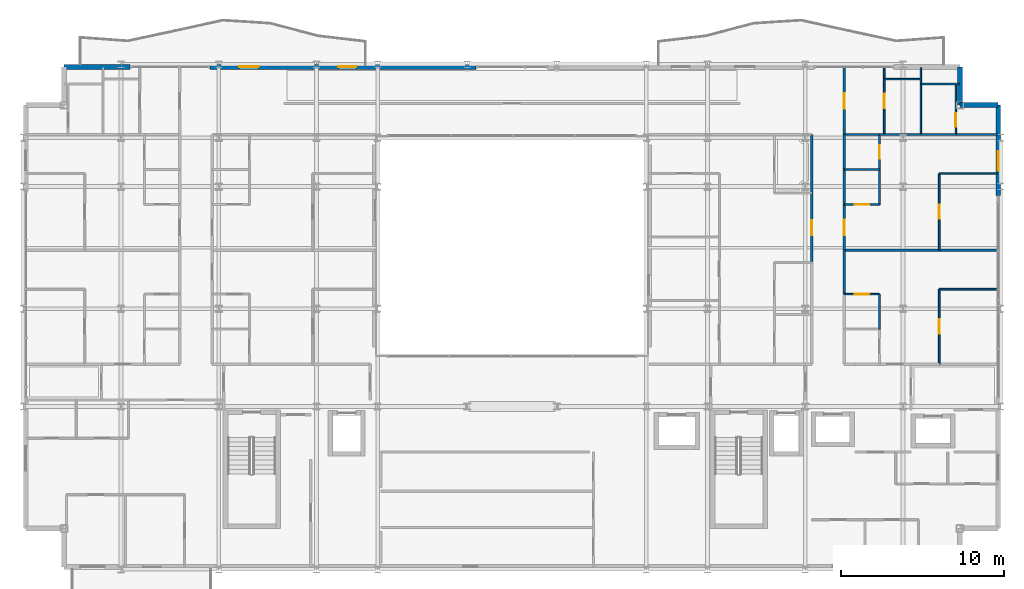
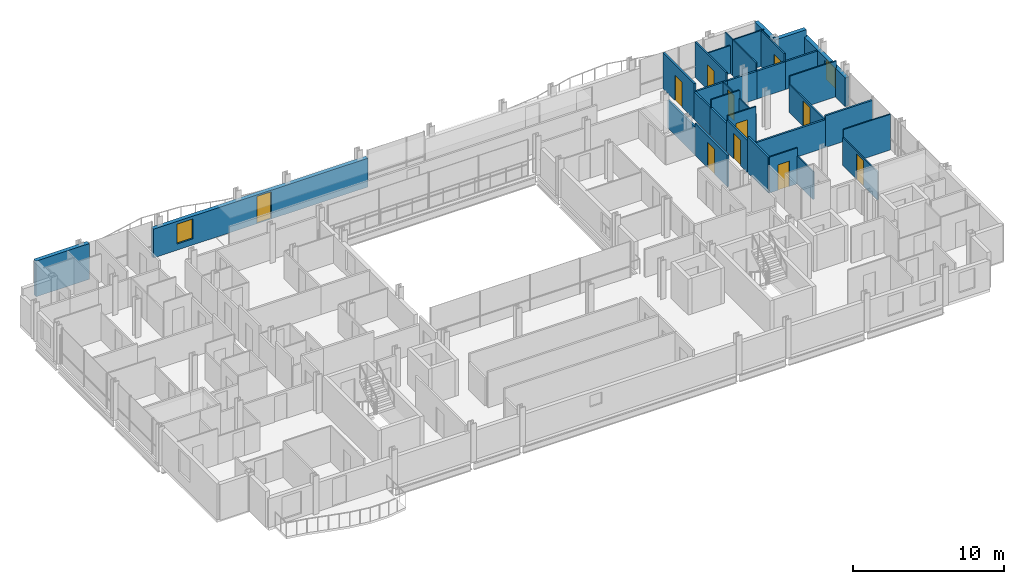
# One storey, part 36 of 41: 35 walls, 11 doors, 2 windows, 13 openings.
"""IFC4 building model written with IfcOpenShell, lengths in metres."""

from ifc_helpers import new_model, si_unit, direction, frame, frame_2d, origin, place, context, subcontext, project, spatial, rectangle, extrude, material, layer, layer_set, type_object, element, fill, save


model = new_model("IFC4")

# Units and contexts
model_context = context("Model", 3, precision=1e-05, world=origin(), true_north=direction((0.0, 1.0)))
body_context = subcontext(model_context, "Body", "Model", "MODEL_VIEW")
ifc_project = project(units=[si_unit("LENGTHUNIT", "METRE"), si_unit("AREAUNIT", "SQUARE_METRE"), si_unit("VOLUMEUNIT", "CUBIC_METRE"), si_unit("PLANEANGLEUNIT", "RADIAN"), si_unit("MASSUNIT", "GRAM", prefix="KILO")], contexts=[model_context])

# Site, building, storey
site_placement = place(None, origin())
site = spatial("IfcSite", under=ifc_project, at=site_placement, CompositionType="ELEMENT")
building_placement = place(site_placement, origin())
building = spatial("IfcBuilding", under=site, at=building_placement, Name="Brevholm Reach", CompositionType="ELEMENT")
storey_placement = place(building_placement, frame((0.0, 0.0, 112.800048828125)))
storey = spatial("IfcBuildingStorey", under=building, at=storey_placement, Name="L33", CompositionType="ELEMENT", Elevation=112.800048828125)

# Walls
ifc_material_1 = material(Name="Concrete C40/50", Category="concrete")
ifc_layer_1 = layer(ifc_material_1, 0.300048828125)
ifc_layer_set_1 = layer_set([ifc_layer_1], Name="Concrete C40/50")
wall_type_1 = type_object("IfcWallType", Name="WAL-EXT-300", PredefinedType="STANDARD", material=ifc_layer_set_1)
for number, where, z_axis, x_axis, name in (
    (1, (59.85009765625, 28.5, 0.0), (0.0, 0.0, 1.0), (-1.0, 0.0, 0.0), "L33 Facade Wall WAL-L33-CNE1"),
    (2, (57.5, 28.5, 0.0), (0.0, 0.0, 1.0), (0.0, 1.0, 0.0), "L33 Facade Wall WAL-L33-CNE2"),
):
    element("IfcWall", number, at=place(storey_placement, frame(where, z_axis=z_axis, x_axis=x_axis)), inside=storey, type_object=wall_type_1, Name=name, PredefinedType="STANDARD", context=body_context, shape_type="SweptSolid", body=[
        extrude(rectangle(XDim=2.35009765625, YDim=0.300048828125, at=frame_2d((1.175048828125, 0.0))), origin(), (0.0, 0.0, 1.0), 2.8798828125),
    ])

# Wall, opening, window
wall_1_placement = place(storey_placement, frame((59.85009765625, 22.949951171875, 0.0), z_axis=(0.0, 0.0, 1.0), x_axis=(0.0, 1.0, 0.0)))
wall_1 = element("IfcWall", 3, at=wall_1_placement, inside=storey, type_object=wall_type_1, Name="L33 Facade Wall WAL-L33-E-N", PredefinedType="STANDARD", context=body_context, shape_type="SweptSolid", body=[
    extrude(rectangle(XDim=5.550048828125, YDim=0.300048828125, at=frame_2d((2.77490234375, 0.0))), origin(), (0.0, 0.0, 1.0), 2.32177734375),
])
opening_1_placement = place(wall_1_placement, frame((1.530029296875, 0.0, 0.501953125)))
opening_1 = element("IfcOpeningElement", 4, at=opening_1_placement, cuts=wall_1, Name="Opening WN-08", PredefinedType="OPENING", context=body_context, shape_type="SweptSolid", body=[
    extrude(rectangle(XDim=1.199951171875, YDim=1.60009765625, at=frame_2d((0.60009765625, 0.800048828125))), frame((0.0, 0.159912109375, 0.0), z_axis=(0.0, -1.0, 0.0), x_axis=(1.0, 0.0, 0.0)), (0.0, 0.0, 1.0), 0.320068359375),
])
ifc_material_2 = material(Name="Dark Anodised Aluminium and Solar-Control IGU Glass", Category="aluminium")
window_type = type_object("IfcWindowType", Name="WIN-RES-1200", PartitioningType="SINGLE_PANEL", PredefinedType="WINDOW", material=ifc_material_2)
window_1_placement = place(opening_1_placement, origin())
window_1 = element("IfcWindow", 5, at=window_1_placement, inside=storey, type_object=window_type, Name="L33 Window WIN-L33-EN-1", OverallHeight=1.60009765625, OverallWidth=1.199951171875, PartitioningType="SINGLE_PANEL", PredefinedType="WINDOW", context=body_context, shape_type="SweptSolid", body=[
    extrude(rectangle(XDim=1.199951171875, YDim=1.60009765625, at=frame_2d((0.60009765625, 0.800048828125))), frame((0.0, 0.030029296875, 0.0), z_axis=(0.0, -1.0, 0.0), x_axis=(1.0, 0.0, 0.0)), (0.0, 0.0, 1.0), 0.06005859375),
])
fill(opening_1, window_1)

# Wall
wall_2_placement = place(storey_placement, frame((2.5, 30.85009765625, 0.0), z_axis=(0.0, 0.0, 1.0), x_axis=(1.0, 0.0, 0.0)))
element("IfcWall", 6, at=wall_2_placement, inside=storey, type_object=wall_type_1, Name="L33 Facade Wall WAL-L33-NP-W0", PredefinedType="STANDARD", context=body_context, shape_type="SweptSolid", body=[
    extrude(rectangle(XDim=4.050048828125, YDim=0.300048828125, at=frame_2d((2.02490234375, 0.0))), origin(), (0.0, 0.0, 1.0), 2.8798828125),
])

# Wall, openings, door, window
wall_3_placement = place(storey_placement, frame((11.449951171875, 30.85009765625, 0.0), z_axis=(0.0, 0.0, 1.0), x_axis=(1.0, 0.0, 0.0)))
wall_3 = element("IfcWall", 7, at=wall_3_placement, inside=storey, type_object=wall_type_1, Name="L33 Facade Wall WAL-L33-NP-WL", PredefinedType="STANDARD", context=body_context, shape_type="SweptSolid", body=[
    extrude(rectangle(XDim=16.35009765625, YDim=0.300048828125, at=frame_2d((8.175048828125, 0.0))), origin(), (0.0, 0.0, 1.0), 2.32177734375),
])
opening_2_placement = place(wall_3_placement, frame((7.89794921875, 0.0, 0.0)))
opening_2 = element("IfcOpeningElement", 8, at=opening_2_placement, cuts=wall_3, Name="Opening BD-01", PredefinedType="OPENING", context=body_context, shape_type="SweptSolid", body=[
    extrude(rectangle(XDim=1.10009765625, YDim=2.199951171875, at=frame_2d((0.550048828125, 1.10009765625))), frame((0.0, 0.159912109375, 0.0), z_axis=(0.0, -1.0, 0.0), x_axis=(1.0, 0.0, 0.0)), (0.0, 0.0, 1.0), 0.320068359375),
])
opening_3_placement = place(wall_3_placement, frame((1.800048828125, 0.0, 0.501953125)))
opening_3 = element("IfcOpeningElement", 9, at=opening_3_placement, cuts=wall_3, Name="Opening WN-08", PredefinedType="OPENING", context=body_context, shape_type="SweptSolid", body=[
    extrude(rectangle(XDim=1.199951171875, YDim=1.60009765625, at=frame_2d((0.60009765625, 0.800048828125))), frame((0.0, 0.159912109375, 0.0), z_axis=(0.0, -1.0, 0.0), x_axis=(1.0, 0.0, 0.0)), (0.0, 0.0, 1.0), 0.320068359375),
])
ifc_material_3 = material(Name="Dark Anodised Aluminium and Triple-Glazed Glass", Category="aluminium")
door_type_1 = type_object("IfcDoorType", Name="DOR-BALC-1100", OperationType="NOTDEFINED", PredefinedType="DOOR", material=ifc_material_3)
door_1_placement = place(opening_2_placement, origin())
door_1 = element("IfcDoor", 10, at=door_1_placement, inside=storey, type_object=door_type_1, Name="L33 Exterior Door DOR-L33-BL-NW", OperationType="SINGLE_SWING_RIGHT", OverallHeight=2.199951171875, OverallWidth=1.10009765625, PredefinedType="DOOR", context=body_context, shape_type="SweptSolid", body=[
    extrude(rectangle(XDim=1.10009765625, YDim=2.199951171875, at=frame_2d((0.550048828125, 1.10009765625))), frame((0.0, 0.02490234375, 0.0), z_axis=(0.0, -1.0, 0.0), x_axis=(1.0, 0.0, 0.0)), (0.0, 0.0, 1.0), 0.050048828125),
])
fill(opening_2, door_1)
window_2_placement = place(opening_3_placement, origin())
window_2 = element("IfcWindow", 11, at=window_2_placement, inside=storey, type_object=window_type, Name="L33 Window WIN-L33-NP-WL1", OverallHeight=1.60009765625, OverallWidth=1.199951171875, PartitioningType="SINGLE_PANEL", PredefinedType="WINDOW", context=body_context, shape_type="SweptSolid", body=[
    extrude(rectangle(XDim=1.199951171875, YDim=1.60009765625, at=frame_2d((0.60009765625, 0.800048828125))), frame((0.0, 0.030029296875, 0.0), z_axis=(0.0, -1.0, 0.0), x_axis=(1.0, 0.0, 0.0)), (0.0, 0.0, 1.0), 0.06005859375),
])
fill(opening_3, window_2)

# Wall
ifc_material_4 = material(Name="Moisture-Resistant Acoustic Gypsum Stud Partition 100 mm", Category="gypsum")
ifc_layer_2 = layer(ifc_material_4, 0.10009765625)
ifc_layer_set_2 = layer_set([ifc_layer_2], Name="Moisture-Resistant Acoustic Gypsum Stud Partition 100 mm")
wall_type_2 = type_object("IfcWallType", Name="WAL-PRT-100", PredefinedType="PARTITIONING", material=ifc_layer_set_2)
wall_4_placement = place(storey_placement, frame((52.56201171875, 14.75390625, 0.0), z_axis=(0.0, 0.0, 1.0), x_axis=(0.0, 1.0, 0.0)))
element("IfcWall", 12, at=wall_4_placement, inside=storey, type_object=wall_type_2, Name="L33 Internal Partition 134", PredefinedType="PARTITIONING", context=body_context, shape_type="SweptSolid", body=[
    extrude(rectangle(XDim=2.14599609375, YDim=0.10009765625, at=frame_2d((1.072998046875, 0.0))), origin(), (0.0, 0.0, 1.0), 2.24267578125),
])

# Wall, opening, door
wall_5_placement = place(storey_placement, frame((50.404052734375, 16.89990234375, 0.0), z_axis=(0.0, 0.0, 1.0), x_axis=(1.0, 0.0, 0.0)))
wall_5 = element("IfcWall", 13, at=wall_5_placement, inside=storey, type_object=wall_type_2, Name="L33 Internal Partition 135", PredefinedType="PARTITIONING", context=body_context, shape_type="SweptSolid", body=[
    extrude(rectangle(XDim=2.157958984375, YDim=0.10009765625, at=frame_2d((1.0791015625, 0.0))), origin(), (0.0, 0.0, 1.0), 2.8798828125),
])
opening_4_placement = place(wall_5_placement, frame((0.638916015625, 0.0, 0.0)))
opening_4 = element("IfcOpeningElement", 14, at=opening_4_placement, cuts=wall_5, Name="Opening ID-01", PredefinedType="OPENING", context=body_context, shape_type="SweptSolid", body=[
    extrude(rectangle(XDim=0.8798828125, YDim=2.0400390625, at=frame_2d((0.43994140625, 1.02001953125))), frame((0.0, 0.06005859375, 0.0), z_axis=(0.0, -1.0, 0.0), x_axis=(1.0, 0.0, 0.0)), (0.0, 0.0, 1.0), 0.1201171875),
])
ifc_material_5 = material(Name="Lacquered Ash Solid-Core Acoustic Internal Door", Category="timber")
door_type_2 = type_object("IfcDoorType", Name="DOR-INT-880", OperationType="NOTDEFINED", PredefinedType="DOOR", material=ifc_material_5)
door_2_placement = place(opening_4_placement, origin())
door_2 = element("IfcDoor", 15, at=door_2_placement, inside=storey, type_object=door_type_2, Name="L33 Internal Door 051", OperationType="SINGLE_SWING_LEFT", OverallHeight=2.0400390625, OverallWidth=0.8798828125, PredefinedType="DOOR", context=body_context, shape_type="SweptSolid", body=[
    extrude(rectangle(XDim=0.8798828125, YDim=2.0400390625, at=frame_2d((0.43994140625, 1.02001953125))), frame((0.0, 0.02490234375, 0.0), z_axis=(0.0, -1.0, 0.0), x_axis=(1.0, 0.0, 0.0)), (0.0, 0.0, 1.0), 0.050048828125),
])
fill(opening_4, door_2)

# Wall
wall_6_placement = place(storey_placement, frame((56.22802734375, 17.199951171875, 0.0), z_axis=(0.0, 0.0, 1.0), x_axis=(1.0, 0.0, 0.0)))
element("IfcWall", 16, at=wall_6_placement, inside=storey, type_object=wall_type_2, Name="L33 Internal Partition 136", PredefinedType="PARTITIONING", context=body_context, shape_type="SweptSolid", body=[
    extrude(rectangle(XDim=3.572021484375, YDim=0.10009765625, at=frame_2d((1.7861328125, 0.0))), origin(), (0.0, 0.0, 1.0), 2.8798828125),
])

# Wall, opening, door
wall_7_placement = place(storey_placement, frame((56.22802734375, 12.60400390625, 0.0), z_axis=(0.0, 0.0, 1.0), x_axis=(0.0, 1.0, 0.0)))
wall_7 = element("IfcWall", 17, at=wall_7_placement, inside=storey, type_object=wall_type_2, Name="L33 Internal Partition 137", PredefinedType="PARTITIONING", context=body_context, shape_type="SweptSolid", body=[
    extrude(rectangle(XDim=4.595947265625, YDim=0.10009765625, at=frame_2d((2.2978515625, 0.0))), origin(), (0.0, 0.0, 1.0), 2.24267578125),
])
opening_5_placement = place(wall_7_placement, frame((1.85791015625, 0.0, 0.0)))
opening_5 = element("IfcOpeningElement", 18, at=opening_5_placement, cuts=wall_7, Name="Opening ID-01", PredefinedType="OPENING", context=body_context, shape_type="SweptSolid", body=[
    extrude(rectangle(XDim=0.8798828125, YDim=2.0400390625, at=frame_2d((0.43994140625, 1.02001953125))), frame((0.0, 0.06005859375, 0.0), z_axis=(0.0, -1.0, 0.0), x_axis=(1.0, 0.0, 0.0)), (0.0, 0.0, 1.0), 0.1201171875),
])
door_3_placement = place(opening_5_placement, origin())
door_3 = element("IfcDoor", 19, at=door_3_placement, inside=storey, type_object=door_type_2, Name="L33 Internal Door 052", OperationType="SINGLE_SWING_RIGHT", OverallHeight=2.0400390625, OverallWidth=0.8798828125, PredefinedType="DOOR", context=body_context, shape_type="SweptSolid", body=[
    extrude(rectangle(XDim=0.8798828125, YDim=2.0400390625, at=frame_2d((0.43994140625, 1.02001953125))), frame((0.0, 0.02490234375, 0.0), z_axis=(0.0, -1.0, 0.0), x_axis=(1.0, 0.0, 0.0)), (0.0, 0.0, 1.0), 0.050048828125),
])
fill(opening_5, door_3)

# Wall
wall_8_placement = place(storey_placement, frame((50.404052734375, 24.550048828125, 0.0), z_axis=(0.0, 0.0, 1.0), x_axis=(1.0, 0.0, 0.0)))
element("IfcWall", 20, at=wall_8_placement, inside=storey, type_object=wall_type_2, Name="L33 Internal Partition 140", PredefinedType="PARTITIONING", context=body_context, shape_type="SweptSolid", body=[
    extrude(rectangle(XDim=2.157958984375, YDim=0.10009765625, at=frame_2d((1.0791015625, 0.0))), origin(), (0.0, 0.0, 1.0), 2.8798828125),
])

# Wall, opening, door
wall_9_placement = place(storey_placement, frame((52.56201171875, 24.550048828125, 0.0), z_axis=(0.0, 0.0, 1.0), x_axis=(0.0, 1.0, 0.0)))
wall_9 = element("IfcWall", 21, at=wall_9_placement, inside=storey, type_object=wall_type_2, Name="L33 Internal Partition 141", PredefinedType="PARTITIONING", context=body_context, shape_type="SweptSolid", body=[
    extrude(rectangle(XDim=2.14990234375, YDim=0.10009765625, at=frame_2d((1.074951171875, 0.0))), origin(), (0.0, 0.0, 1.0), 2.24267578125),
])
opening_6_placement = place(wall_9_placement, frame((0.6650390625, 0.0, 0.0)))
opening_6 = element("IfcOpeningElement", 22, at=opening_6_placement, cuts=wall_9, Name="Opening ID-03", PredefinedType="OPENING", context=body_context, shape_type="SweptSolid", body=[
    extrude(rectangle(XDim=0.820068359375, YDim=2.02001953125, at=frame_2d((0.41015625, 1.010009765625))), frame((0.0, 0.06005859375, 0.0), z_axis=(0.0, -1.0, 0.0), x_axis=(1.0, 0.0, 0.0)), (0.0, 0.0, 1.0), 0.1201171875),
])
ifc_material_6 = material(Name="Moisture-Resistant Painted Timber Internal Bathroom Door", Category="wood")
door_type_3 = type_object("IfcDoorType", Name="DOR-BATH-820", OperationType="NOTDEFINED", PredefinedType="DOOR", material=ifc_material_6)
door_4_placement = place(opening_6_placement, origin())
door_4 = element("IfcDoor", 23, at=door_4_placement, inside=storey, type_object=door_type_3, Name="L33 Internal Door 053", OperationType="SINGLE_SWING_LEFT", OverallHeight=2.02001953125, OverallWidth=0.820068359375, PredefinedType="DOOR", context=body_context, shape_type="SweptSolid", body=[
    extrude(rectangle(XDim=0.820068359375, YDim=2.02001953125, at=frame_2d((0.41015625, 1.010009765625))), frame((0.0, 0.02490234375, 0.0), z_axis=(0.0, -1.0, 0.0), x_axis=(1.0, 0.0, 0.0)), (0.0, 0.0, 1.0), 0.050048828125),
])
fill(opening_6, door_4)

wall_10_placement = place(storey_placement, frame((50.404052734375, 22.39990234375, 0.0), z_axis=(0.0, 0.0, 1.0), x_axis=(1.0, 0.0, 0.0)))
wall_10 = element("IfcWall", 24, at=wall_10_placement, inside=storey, type_object=wall_type_2, Name="L33 Internal Partition 143", PredefinedType="PARTITIONING", context=body_context, shape_type="SweptSolid", body=[
    extrude(rectangle(XDim=2.157958984375, YDim=0.10009765625, at=frame_2d((1.0791015625, 0.0))), origin(), (0.0, 0.0, 1.0), 2.8798828125),
])
opening_7_placement = place(wall_10_placement, frame((0.638916015625, 0.0, 0.0)))
opening_7 = element("IfcOpeningElement", 25, at=opening_7_placement, cuts=wall_10, Name="Opening ID-01", PredefinedType="OPENING", context=body_context, shape_type="SweptSolid", body=[
    extrude(rectangle(XDim=0.8798828125, YDim=2.0400390625, at=frame_2d((0.43994140625, 1.02001953125))), frame((0.0, 0.06005859375, 0.0), z_axis=(0.0, -1.0, 0.0), x_axis=(1.0, 0.0, 0.0)), (0.0, 0.0, 1.0), 0.1201171875),
])
door_5_placement = place(opening_7_placement, origin())
door_5 = element("IfcDoor", 26, at=door_5_placement, inside=storey, type_object=door_type_2, Name="L33 Internal Door 054", OperationType="SINGLE_SWING_RIGHT", OverallHeight=2.0400390625, OverallWidth=0.8798828125, PredefinedType="DOOR", context=body_context, shape_type="SweptSolid", body=[
    extrude(rectangle(XDim=0.8798828125, YDim=2.0400390625, at=frame_2d((0.43994140625, 1.02001953125))), frame((0.0, 0.02490234375, 0.0), z_axis=(0.0, -1.0, 0.0), x_axis=(1.0, 0.0, 0.0)), (0.0, 0.0, 1.0), 0.050048828125),
])
fill(opening_7, door_5)

# Walls
wall_11_placement = place(storey_placement, frame((52.56201171875, 22.39990234375, 0.0), z_axis=(0.0, 0.0, 1.0), x_axis=(0.0, 1.0, 0.0)))
element("IfcWall", 27, at=wall_11_placement, inside=storey, type_object=wall_type_2, Name="L33 Internal Partition 144", PredefinedType="PARTITIONING", context=body_context, shape_type="SweptSolid", body=[
    extrude(rectangle(XDim=2.14599609375, YDim=0.10009765625, at=frame_2d((1.072998046875, 0.0))), origin(), (0.0, 0.0, 1.0), 2.24267578125),
])
wall_12_placement = place(storey_placement, frame((56.22802734375, 24.300048828125, 0.0), z_axis=(0.0, 0.0, 1.0), x_axis=(1.0, 0.0, 0.0)))
element("IfcWall", 28, at=wall_12_placement, inside=storey, type_object=wall_type_2, Name="L33 Internal Partition 145", PredefinedType="PARTITIONING", context=body_context, shape_type="SweptSolid", body=[
    extrude(rectangle(XDim=3.572021484375, YDim=0.10009765625, at=frame_2d((1.7861328125, 0.0))), origin(), (0.0, 0.0, 1.0), 2.8798828125),
])

# Wall, opening, door
wall_13_placement = place(storey_placement, frame((56.22802734375, 19.60400390625, 0.0), z_axis=(0.0, 0.0, 1.0), x_axis=(0.0, 1.0, 0.0)))
wall_13 = element("IfcWall", 29, at=wall_13_placement, inside=storey, type_object=wall_type_2, Name="L33 Internal Partition 146", PredefinedType="PARTITIONING", context=body_context, shape_type="SweptSolid", body=[
    extrude(rectangle(XDim=4.696044921875, YDim=0.10009765625, at=frame_2d((2.34814453125, 0.0))), origin(), (0.0, 0.0, 1.0), 2.24267578125),
])
opening_8_placement = place(wall_13_placement, frame((1.907958984375, 0.0, 0.0)))
opening_8 = element("IfcOpeningElement", 30, at=opening_8_placement, cuts=wall_13, Name="Opening ID-01", PredefinedType="OPENING", context=body_context, shape_type="SweptSolid", body=[
    extrude(rectangle(XDim=0.8798828125, YDim=2.0400390625, at=frame_2d((0.43994140625, 1.02001953125))), frame((0.0, 0.06005859375, 0.0), z_axis=(0.0, -1.0, 0.0), x_axis=(1.0, 0.0, 0.0)), (0.0, 0.0, 1.0), 0.1201171875),
])
door_6_placement = place(opening_8_placement, origin())
door_6 = element("IfcDoor", 31, at=door_6_placement, inside=storey, type_object=door_type_2, Name="L33 Internal Door 055", OperationType="SINGLE_SWING_LEFT", OverallHeight=2.0400390625, OverallWidth=0.8798828125, PredefinedType="DOOR", context=body_context, shape_type="SweptSolid", body=[
    extrude(rectangle(XDim=0.8798828125, YDim=2.0400390625, at=frame_2d((0.43994140625, 1.02001953125))), frame((0.0, 0.02490234375, 0.0), z_axis=(0.0, -1.0, 0.0), x_axis=(1.0, 0.0, 0.0)), (0.0, 0.0, 1.0), 0.050048828125),
])
fill(opening_8, door_6)

# Wall
wall_14_placement = place(storey_placement, frame((55.10009765625, 26.7041015625, 0.0), z_axis=(0.0, 0.0, 1.0), x_axis=(0.0, 1.0, 0.0)))
element("IfcWall", 32, at=wall_14_placement, inside=storey, type_object=wall_type_2, Name="L33 Internal Partition 157", PredefinedType="PARTITIONING", context=body_context, shape_type="SweptSolid", body=[
    extrude(rectangle(XDim=3.095947265625, YDim=0.10009765625, at=frame_2d((1.5478515625, 0.0))), origin(), (0.0, 0.0, 1.0), 2.8798828125),
])

# Wall, opening, door
wall_15_placement = place(storey_placement, frame((57.25, 26.7041015625, 0.0), z_axis=(0.0, 0.0, 1.0), x_axis=(0.0, 1.0, 0.0)))
wall_15 = element("IfcWall", 33, at=wall_15_placement, inside=storey, type_object=wall_type_2, Name="L33 Internal Partition 158", PredefinedType="PARTITIONING", context=body_context, shape_type="SweptSolid", body=[
    extrude(rectangle(XDim=3.095947265625, YDim=0.10009765625, at=frame_2d((1.5478515625, 0.0))), origin(), (0.0, 0.0, 1.0), 2.8798828125),
])
opening_9_placement = place(wall_15_placement, frame((0.47802734375, 0.0, 0.0)))
opening_9 = element("IfcOpeningElement", 34, at=opening_9_placement, cuts=wall_15, Name="Opening ID-03", PredefinedType="OPENING", context=body_context, shape_type="SweptSolid", body=[
    extrude(rectangle(XDim=0.820068359375, YDim=2.02001953125, at=frame_2d((0.41015625, 1.010009765625))), frame((0.0, 0.06005859375, 0.0), z_axis=(0.0, -1.0, 0.0), x_axis=(1.0, 0.0, 0.0)), (0.0, 0.0, 1.0), 0.1201171875),
])
door_7_placement = place(opening_9_placement, origin())
door_7 = element("IfcDoor", 35, at=door_7_placement, inside=storey, type_object=door_type_3, Name="L33 Internal Door 058", OperationType="SINGLE_SWING_RIGHT", OverallHeight=2.02001953125, OverallWidth=0.820068359375, PredefinedType="DOOR", context=body_context, shape_type="SweptSolid", body=[
    extrude(rectangle(XDim=0.820068359375, YDim=2.02001953125, at=frame_2d((0.41015625, 1.010009765625))), frame((0.0, 0.02490234375, 0.0), z_axis=(0.0, -1.0, 0.0), x_axis=(1.0, 0.0, 0.0)), (0.0, 0.0, 1.0), 0.050048828125),
])
fill(opening_9, door_7)

# Walls
wall_16_placement = place(storey_placement, frame((55.10009765625, 29.800048828125, 0.0), z_axis=(0.0, 0.0, 1.0), x_axis=(1.0, 0.0, 0.0)))
element("IfcWall", 36, at=wall_16_placement, inside=storey, type_object=wall_type_2, Name="L33 Internal Partition 159", PredefinedType="PARTITIONING", context=body_context, shape_type="SweptSolid", body=[
    extrude(rectangle(XDim=2.349853515625, YDim=0.10009765625, at=frame_2d((1.1748046875, 0.0))), origin(), (0.0, 0.0, 1.0), 2.8798828125),
])
wall_17_placement = place(storey_placement, frame((55.10009765625, 29.803955078125, 0.0), z_axis=(0.0, 0.0, 1.0), x_axis=(0.0, 1.0, 0.0)))
element("IfcWall", 37, at=wall_17_placement, inside=storey, type_object=wall_type_2, Name="L33 Internal Partition 160", PredefinedType="PARTITIONING", context=body_context, shape_type="SweptSolid", body=[
    extrude(rectangle(XDim=0.99609375, YDim=0.10009765625, at=frame_2d((0.498046875, 0.0))), origin(), (0.0, 0.0, 1.0), 2.8798828125),
])
wall_18_placement = place(storey_placement, frame((52.85009765625, 30.10009765625, 0.0), z_axis=(0.0, 0.0, 1.0), x_axis=(1.0, 0.0, 0.0)))
element("IfcWall", 38, at=wall_18_placement, inside=storey, type_object=wall_type_2, Name="L33 Internal Partition 161", PredefinedType="PARTITIONING", context=body_context, shape_type="SweptSolid", body=[
    extrude(rectangle(XDim=2.25, YDim=0.10009765625, at=frame_2d((1.125, 0.0))), origin(), (0.0, 0.0, 1.0), 2.24267578125),
])

# Wall, opening, door
wall_19_placement = place(storey_placement, frame((52.85009765625, 26.7041015625, 0.0), z_axis=(0.0, 0.0, 1.0), x_axis=(0.0, 1.0, 0.0)))
wall_19 = element("IfcWall", 39, at=wall_19_placement, inside=storey, type_object=wall_type_2, Name="L33 Internal Partition 162", PredefinedType="PARTITIONING", context=body_context, shape_type="SweptSolid", body=[
    extrude(rectangle(XDim=4.095947265625, YDim=0.10009765625, at=frame_2d((2.0478515625, 0.0))), origin(), (0.0, 0.0, 1.0), 2.8798828125),
])
opening_10_placement = place(wall_19_placement, frame((1.60791015625, 0.0, 0.0)))
opening_10 = element("IfcOpeningElement", 40, at=opening_10_placement, cuts=wall_19, Name="Opening ID-01", PredefinedType="OPENING", context=body_context, shape_type="SweptSolid", body=[
    extrude(rectangle(XDim=0.8798828125, YDim=2.0400390625, at=frame_2d((0.43994140625, 1.02001953125))), frame((0.0, 0.06005859375, 0.0), z_axis=(0.0, -1.0, 0.0), x_axis=(1.0, 0.0, 0.0)), (0.0, 0.0, 1.0), 0.1201171875),
])
door_8_placement = place(opening_10_placement, origin())
door_8 = element("IfcDoor", 41, at=door_8_placement, inside=storey, type_object=door_type_2, Name="L33 Internal Door 059", OperationType="SINGLE_SWING_LEFT", OverallHeight=2.0400390625, OverallWidth=0.8798828125, PredefinedType="DOOR", context=body_context, shape_type="SweptSolid", body=[
    extrude(rectangle(XDim=0.8798828125, YDim=2.0400390625, at=frame_2d((0.43994140625, 1.02001953125))), frame((0.0, 0.02490234375, 0.0), z_axis=(0.0, -1.0, 0.0), x_axis=(1.0, 0.0, 0.0)), (0.0, 0.0, 1.0), 0.050048828125),
])
fill(opening_10, door_8)

# Wall
ifc_material_7 = material(Name="Twin-Stud Acoustic Fire-Rated Gypsum Partition 140 mm", Category="gypsum")
ifc_layer_3 = layer(ifc_material_7, 0.139892578125)
ifc_layer_set_3 = layer_set([ifc_layer_3], Name="Twin-Stud Acoustic Fire-Rated Gypsum Partition 140 mm")
wall_type_3 = type_object("IfcWallType", Name="WAL-PRT-140", PredefinedType="PARTITIONING", material=ifc_layer_set_3)
wall_20_placement = place(storey_placement, frame((48.39990234375, 23.088623046875, 0.0), z_axis=(0.0, 0.0, 1.0), x_axis=(0.0, 1.0, 0.0)))
element("IfcWall", 42, at=wall_20_placement, inside=storey, type_object=wall_type_3, Name="L33 Internal Partition 048", PredefinedType="PARTITIONING", context=body_context, shape_type="SweptSolid", body=[
    extrude(rectangle(XDim=3.61865234375, YDim=0.139892578125, at=frame_2d((1.809326171875, 0.0))), origin(), (0.0, 0.0, 1.0), 2.24267578125),
])

# Wall, opening, door
wall_21_placement = place(storey_placement, frame((48.39990234375, 18.8427734375, 0.0), z_axis=(0.0, 0.0, 1.0), x_axis=(0.0, 1.0, 0.0)))
wall_21 = element("IfcWall", 43, at=wall_21_placement, inside=storey, type_object=wall_type_3, Name="L33 Internal Partition 049", PredefinedType="PARTITIONING", context=body_context, shape_type="SweptSolid", body=[
    extrude(rectangle(XDim=4.2646484375, YDim=0.139892578125, at=frame_2d((2.13232421875, 0.0))), origin(), (0.0, 0.0, 1.0), 2.551513671875),
])
opening_11_placement = place(wall_21_placement, frame((1.6572265625, 0.0, 0.0)))
opening_11 = element("IfcOpeningElement", 44, at=opening_11_placement, cuts=wall_21, Name="Opening ID-30", PredefinedType="OPENING", context=body_context, shape_type="SweptSolid", body=[
    extrude(rectangle(XDim=0.949951171875, YDim=2.050048828125, at=frame_2d((0.47509765625, 1.02490234375))), frame((0.0, 0.079833984375, 0.0), z_axis=(0.0, -1.0, 0.0), x_axis=(1.0, 0.0, 0.0)), (0.0, 0.0, 1.0), 0.159912109375),
])
ifc_material_8 = material(Name="European Oak Veneered Solid-Core Fire Entrance Door", Category="timber")
door_type_4 = type_object("IfcDoorType", Name="DOR-FLT-FD30S", OperationType="NOTDEFINED", PredefinedType="DOOR", material=ifc_material_8)
door_9_placement = place(opening_11_placement, origin())
door_9 = element("IfcDoor", 45, at=door_9_placement, inside=storey, type_object=door_type_4, Name="L33 Internal Door 020", OperationType="SINGLE_SWING_RIGHT", OverallHeight=2.050048828125, OverallWidth=0.949951171875, PredefinedType="DOOR", context=body_context, shape_type="SweptSolid", body=[
    extrude(rectangle(XDim=0.949951171875, YDim=2.050048828125, at=frame_2d((0.47509765625, 1.02490234375))), frame((0.0, 0.02490234375, 0.0), z_axis=(0.0, -1.0, 0.0), x_axis=(1.0, 0.0, 0.0)), (0.0, 0.0, 1.0), 0.050048828125),
])
fill(opening_11, door_9)

# Walls
wall_22_placement = place(storey_placement, frame((50.39990234375, 16.892578125, 0.0), z_axis=(0.0, 0.0, 1.0), x_axis=(0.0, 1.0, 0.0)))
element("IfcWall", 46, at=wall_22_placement, inside=storey, type_object=wall_type_3, Name="L33 Internal Partition 052", PredefinedType="PARTITIONING", context=body_context, shape_type="SweptSolid", body=[
    extrude(rectangle(XDim=2.71875, YDim=0.139892578125, at=frame_2d((1.359375, 0.0))), origin(), (0.0, 0.0, 1.0), 2.8798828125),
])
wall_23_placement = place(storey_placement, frame((50.39990234375, 24.538818359375, 0.0), z_axis=(0.0, 0.0, 1.0), x_axis=(0.0, 1.0, 0.0)))
element("IfcWall", 47, at=wall_23_placement, inside=storey, type_object=wall_type_3, Name="L33 Internal Partition 053", PredefinedType="PARTITIONING", context=body_context, shape_type="SweptSolid", body=[
    extrude(rectangle(XDim=2.17236328125, YDim=0.139892578125, at=frame_2d((1.086181640625, 0.0))), origin(), (0.0, 0.0, 1.0), 2.24267578125),
])
wall_24_placement = place(storey_placement, frame((50.39990234375, 22.388671875, 0.0), z_axis=(0.0, 0.0, 1.0), x_axis=(0.0, 1.0, 0.0)))
element("IfcWall", 48, at=wall_24_placement, inside=storey, type_object=wall_type_3, Name="L33 Internal Partition 054", PredefinedType="PARTITIONING", context=body_context, shape_type="SweptSolid", body=[
    extrude(rectangle(XDim=2.168701171875, YDim=0.139892578125, at=frame_2d((1.08447265625, 0.0))), origin(), (0.0, 0.0, 1.0), 2.24267578125),
])

# Wall, opening, door
wall_25_placement = place(storey_placement, frame((50.39990234375, 19.5927734375, 0.0), z_axis=(0.0, 0.0, 1.0), x_axis=(0.0, 1.0, 0.0)))
wall_25 = element("IfcWall", 49, at=wall_25_placement, inside=storey, type_object=wall_type_3, Name="L33 Internal Partition 055", PredefinedType="PARTITIONING", context=body_context, shape_type="SweptSolid", body=[
    extrude(rectangle(XDim=2.814453125, YDim=0.139892578125, at=frame_2d((1.4072265625, 0.0))), origin(), (0.0, 0.0, 1.0), 2.551513671875),
])
opening_12_placement = place(wall_25_placement, frame((0.932373046875, 0.0, 0.0)))
opening_12 = element("IfcOpeningElement", 50, at=opening_12_placement, cuts=wall_25, Name="Opening ID-30", PredefinedType="OPENING", context=body_context, shape_type="SweptSolid", body=[
    extrude(rectangle(XDim=0.949951171875, YDim=2.050048828125, at=frame_2d((0.47509765625, 1.02490234375))), frame((0.0, 0.079833984375, 0.0), z_axis=(0.0, -1.0, 0.0), x_axis=(1.0, 0.0, 0.0)), (0.0, 0.0, 1.0), 0.159912109375),
])
door_10_placement = place(opening_12_placement, origin())
door_10 = element("IfcDoor", 51, at=door_10_placement, inside=storey, type_object=door_type_4, Name="L33 Internal Door 021", OperationType="SINGLE_SWING_LEFT", OverallHeight=2.050048828125, OverallWidth=0.949951171875, PredefinedType="DOOR", context=body_context, shape_type="SweptSolid", body=[
    extrude(rectangle(XDim=0.949951171875, YDim=2.050048828125, at=frame_2d((0.47509765625, 1.02490234375))), frame((0.0, 0.02490234375, 0.0), z_axis=(0.0, -1.0, 0.0), x_axis=(1.0, 0.0, 0.0)), (0.0, 0.0, 1.0), 0.050048828125),
])
fill(opening_12, door_10)

wall_26_placement = place(storey_placement, frame((50.39990234375, 26.692626953125, 0.0), z_axis=(0.0, 0.0, 1.0), x_axis=(0.0, 1.0, 0.0)))
wall_26 = element("IfcWall", 52, at=wall_26_placement, inside=storey, type_object=wall_type_3, Name="L33 Internal Partition 056", PredefinedType="PARTITIONING", context=body_context, shape_type="SweptSolid", body=[
    extrude(rectangle(XDim=4.107421875, YDim=0.139892578125, at=frame_2d((2.0537109375, 0.0))), origin(), (0.0, 0.0, 1.0), 2.8798828125),
])
opening_13_placement = place(wall_26_placement, frame((1.57861328125, 0.0, 0.0)))
opening_13 = element("IfcOpeningElement", 53, at=opening_13_placement, cuts=wall_26, Name="Opening ID-30", PredefinedType="OPENING", context=body_context, shape_type="SweptSolid", body=[
    extrude(rectangle(XDim=0.949951171875, YDim=2.050048828125, at=frame_2d((0.47509765625, 1.02490234375))), frame((0.0, 0.079833984375, 0.0), z_axis=(0.0, -1.0, 0.0), x_axis=(1.0, 0.0, 0.0)), (0.0, 0.0, 1.0), 0.159912109375),
])
door_11_placement = place(opening_13_placement, origin())
door_11 = element("IfcDoor", 54, at=door_11_placement, inside=storey, type_object=door_type_4, Name="L33 Internal Door 022", OperationType="SINGLE_SWING_RIGHT", OverallHeight=2.050048828125, OverallWidth=0.949951171875, PredefinedType="DOOR", context=body_context, shape_type="SweptSolid", body=[
    extrude(rectangle(XDim=0.949951171875, YDim=2.050048828125, at=frame_2d((0.47509765625, 1.02490234375))), frame((0.0, 0.02490234375, 0.0), z_axis=(0.0, -1.0, 0.0), x_axis=(1.0, 0.0, 0.0)), (0.0, 0.0, 1.0), 0.050048828125),
])
fill(opening_13, door_11)

# Walls
wall_27_placement = place(storey_placement, frame((56.216796875, 19.60009765625, 0.0), z_axis=(0.0, 0.0, 1.0), x_axis=(1.0, 0.0, 0.0)))
element("IfcWall", 55, at=wall_27_placement, inside=storey, type_object=wall_type_3, Name="L33 Internal Partition 138", PredefinedType="PARTITIONING", context=body_context, shape_type="SweptSolid", body=[
    extrude(rectangle(XDim=3.583251953125, YDim=0.139892578125, at=frame_2d((1.79150390625, 0.0))), origin(), (0.0, 0.0, 1.0), 2.551513671875),
])
wall_28_placement = place(storey_placement, frame((50.404052734375, 19.60009765625, 0.0), z_axis=(0.0, 0.0, 1.0), x_axis=(1.0, 0.0, 0.0)))
element("IfcWall", 56, at=wall_28_placement, inside=storey, type_object=wall_type_3, Name="L33 Internal Partition 139", PredefinedType="PARTITIONING", context=body_context, shape_type="SweptSolid", body=[
    extrude(rectangle(XDim=5.831298828125, YDim=0.139892578125, at=frame_2d((2.91552734375, 0.0))), origin(), (0.0, 0.0, 1.0), 2.24267578125),
])
wall_29_placement = place(storey_placement, frame((50.404052734375, 26.699951171875, 0.0), z_axis=(0.0, 0.0, 1.0), x_axis=(1.0, 0.0, 0.0)))
element("IfcWall", 57, at=wall_29_placement, inside=storey, type_object=wall_type_3, Name="L33 Internal Partition 142", PredefinedType="PARTITIONING", context=body_context, shape_type="SweptSolid", body=[
    extrude(rectangle(XDim=2.157958984375, YDim=0.139892578125, at=frame_2d((1.0791015625, 0.0))), origin(), (0.0, 0.0, 1.0), 2.24267578125),
])
wall_30_placement = place(storey_placement, frame((55.088623046875, 26.699951171875, 0.0), z_axis=(0.0, 0.0, 1.0), x_axis=(1.0, 0.0, 0.0)))
element("IfcWall", 58, at=wall_30_placement, inside=storey, type_object=wall_type_3, Name="L33 Internal Partition 147", PredefinedType="PARTITIONING", context=body_context, shape_type="SweptSolid", body=[
    extrude(rectangle(XDim=2.172607421875, YDim=0.139892578125, at=frame_2d((1.08642578125, 0.0))), origin(), (0.0, 0.0, 1.0), 2.24267578125),
])
wall_31_placement = place(storey_placement, frame((52.838623046875, 26.699951171875, 0.0), z_axis=(0.0, 0.0, 1.0), x_axis=(1.0, 0.0, 0.0)))
element("IfcWall", 59, at=wall_31_placement, inside=storey, type_object=wall_type_3, Name="L33 Internal Partition 148", PredefinedType="PARTITIONING", context=body_context, shape_type="SweptSolid", body=[
    extrude(rectangle(XDim=2.268798828125, YDim=0.139892578125, at=frame_2d((1.13427734375, 0.0))), origin(), (0.0, 0.0, 1.0), 2.24267578125),
])
wall_32_placement = place(storey_placement, frame((57.24267578125, 26.699951171875, 0.0), z_axis=(0.0, 0.0, 1.0), x_axis=(1.0, 0.0, 0.0)))
element("IfcWall", 60, at=wall_32_placement, inside=storey, type_object=wall_type_3, Name="L33 Internal Partition 149", PredefinedType="PARTITIONING", context=body_context, shape_type="SweptSolid", body=[
    extrude(rectangle(XDim=2.557373046875, YDim=0.139892578125, at=frame_2d((1.27880859375, 0.0))), origin(), (0.0, 0.0, 1.0), 2.24267578125),
])
wall_33_placement = place(storey_placement, frame((52.56591796875, 26.699951171875, 0.0), z_axis=(0.0, 0.0, 1.0), x_axis=(1.0, 0.0, 0.0)))
element("IfcWall", 61, at=wall_33_placement, inside=storey, type_object=wall_type_3, Name="L33 Internal Partition 150", PredefinedType="PARTITIONING", context=body_context, shape_type="SweptSolid", body=[
    extrude(rectangle(XDim=0.29150390625, YDim=0.139892578125, at=frame_2d((0.145751953125, 0.0))), origin(), (0.0, 0.0, 1.0), 2.24267578125),
])

save(model, "model.ifc")
